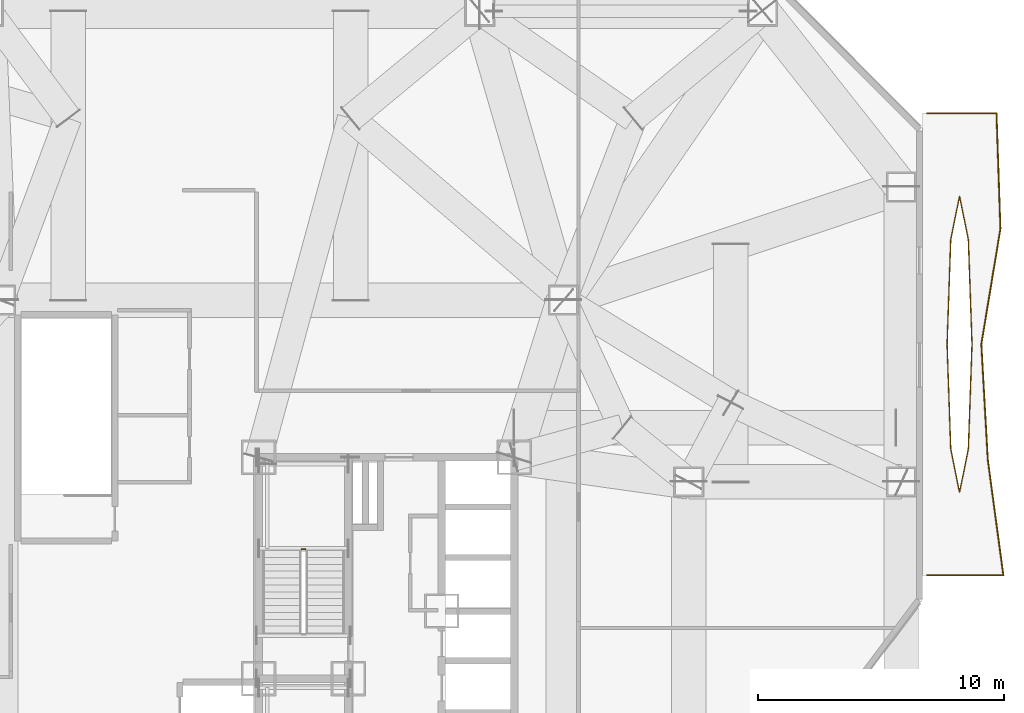
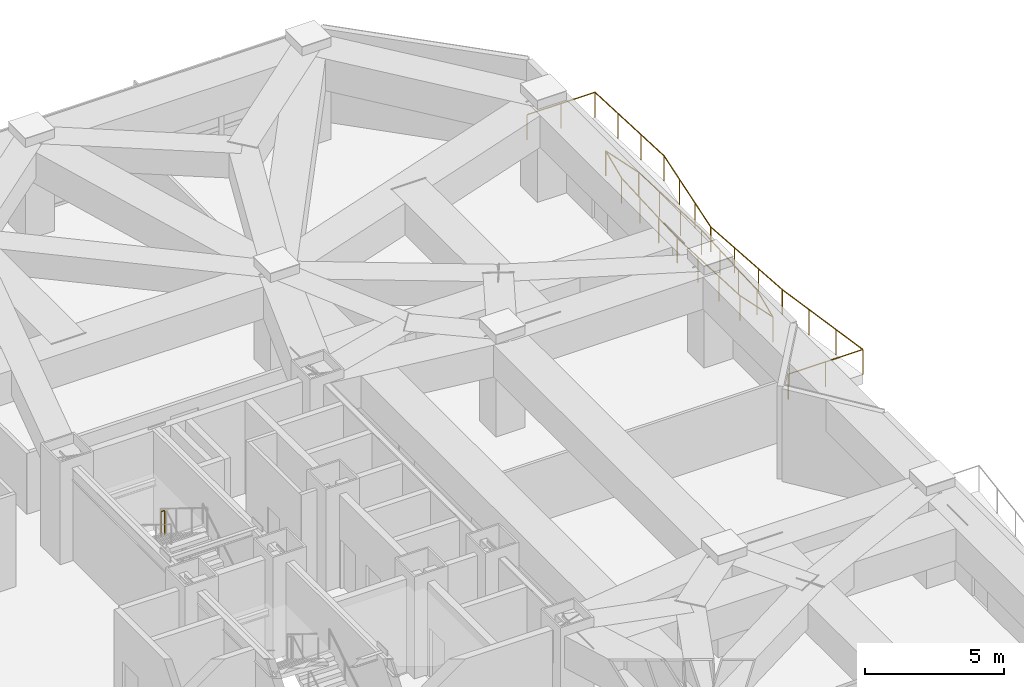
# One storey, part 26 of 27: 5 railings.
"""IFC4 building model written with IfcOpenShell, lengths in metres."""

import ifcopenshell
import ifcopenshell.guid

model = None  # the IFC model being written
_history = None  # IfcOwnerHistory: only IFC2X3 demands one
_inside = {}  # id of a spatial element -> (the spatial element, [elements in it])
_under = {}  # id of a project, library or spatial element -> (it, [spatial elements below it])
_declared = {}  # id of a project -> (the project, [libraries it declares])
_typed = {}  # id of a type object -> (the type object, [elements of that type])
_made_of = {}  # id of a material, layer set ... -> (it, [elements and type objects made of it])


def new_model(schema):
    """Start an empty IFC model of exactly this schema.

    Asked for "IFC4X3", IfcOpenShell would pick the latest addendum, in which some entities
    have other attributes; the version numbers below select the first issue.
    IFC2X3 requires an IfcOwnerHistory on every rooted entity: one is made here for all.
    """
    global model, _history
    if schema == "IFC4X3":
        model = ifcopenshell.file(schema_version=(4, 3, 0, 0))
    else:
        model = ifcopenshell.file(schema=schema)
    _inside.clear()
    _under.clear()
    _declared.clear()
    _typed.clear()
    _made_of.clear()
    _history = None
    if model.schema == "IFC2X3":
        org = make("IfcOrganization", Name="unknown")
        user = make(
            "IfcPersonAndOrganization",
            ThePerson=make("IfcPerson", FamilyName="unknown"),
            TheOrganization=org,
        )
        app = make(
            "IfcApplication",
            ApplicationDeveloper=org,
            Version="unknown",
            ApplicationFullName="unknown",
            ApplicationIdentifier="unknown",
        )
        _history = make(
            "IfcOwnerHistory",
            OwningUser=user,
            OwningApplication=app,
            ChangeAction="ADDED",
            CreationDate=0,
        )
    return model


def make(cls, **values):
    """One entity of the class cls with the attributes given. An attribute that is None is left unset."""
    return model.create_entity(
        cls, **{name: value for name, value in values.items() if value is not None}
    )


def rooted(cls, **values):
    """An entity with a GlobalId (a new one), such as an element, a storey or a relation."""
    return make(cls, GlobalId=ifcopenshell.guid.new(), OwnerHistory=_history, **values)


def si_unit(unit_type, name, prefix=None):
    """IfcSIUnit, for example si_unit("LENGTHUNIT", "METRE", prefix="MILLI")."""
    return make("IfcSIUnit", UnitType=unit_type, Prefix=prefix, Name=name)


def assignment(units):
    """IfcUnitAssignment: the units of a project."""
    return None if units is None else make("IfcUnitAssignment", Units=units)


def point(xyz):
    """IfcCartesianPoint."""
    return None if xyz is None else make("IfcCartesianPoint", Coordinates=xyz)


def direction(xyz):
    """IfcDirection."""
    return None if xyz is None else make("IfcDirection", DirectionRatios=xyz)


def frame(location, z_axis=None, x_axis=None):
    """IfcAxis2Placement3D, a coordinate frame: its origin and axes. An axis left out is left unset."""
    return make(
        "IfcAxis2Placement3D",
        Location=point(location),
        Axis=direction(z_axis),
        RefDirection=direction(x_axis),
    )


def frame_2d(location, x_axis=None):
    """IfcAxis2Placement2D, a coordinate frame in the plane: its origin and x axis."""
    return make(
        "IfcAxis2Placement2D", Location=point(location), RefDirection=direction(x_axis)
    )


def origin():
    """The frame at (0, 0, 0) with its axes left unset."""
    return frame((0.0, 0.0, 0.0))


def origin_2d():
    """The frame at (0, 0) in the plane with its x axis left unset."""
    return frame_2d((0.0, 0.0))


def place(relative_to, where):
    """IfcLocalPlacement: puts the frame where relative to a parent placement (None: the world)."""
    return make(
        "IfcLocalPlacement", PlacementRelTo=relative_to, RelativePlacement=where
    )


def context(
    kind, dimensions, precision=None, world=None, true_north=None, identifier=None
):
    """IfcGeometricRepresentationContext, for example the 3D "Model" context."""
    return make(
        "IfcGeometricRepresentationContext",
        ContextIdentifier=identifier,
        ContextType=kind,
        CoordinateSpaceDimension=dimensions,
        Precision=precision,
        WorldCoordinateSystem=world,
        TrueNorth=true_north,
    )


def subcontext(parent, identifier, kind, view, scale=None):
    """IfcGeometricRepresentationSubContext, for example "Body" below "Model"."""
    return make(
        "IfcGeometricRepresentationSubContext",
        ContextIdentifier=identifier,
        ContextType=kind,
        ParentContext=parent,
        TargetScale=scale,
        TargetView=view,
    )


def project(units=None, contexts=None):
    """IfcProject with its units and contexts."""
    return rooted(
        "IfcProject",
        Name="project",
        RepresentationContexts=contexts,
        UnitsInContext=assignment(units),
    )


def spatial(cls, under=None, at=None, **own):
    """A site, building, storey or space (cls), placed at a placement, below another one or the project."""
    s = rooted(cls, ObjectPlacement=at, **own)
    if under is not None:
        _under.setdefault(under.id(), (under, []))[1].append(s)
    return s


def profile(cls, at=None, kind="AREA", **sizes):
    """A parametric profile (cls). Its sizes go by their IFC names, for example OverallWidth=200.0."""
    return make(cls, ProfileType=kind, Position=at, **sizes)


def circle(**sizes):
    """IfcCircleProfileDef."""
    return profile("IfcCircleProfileDef", **sizes)


def extrude(swept, where, along, depth):
    """IfcExtrudedAreaSolid: the profile swept, set in the frame where, extruded along a direction by depth."""
    return make(
        "IfcExtrudedAreaSolid",
        SweptArea=swept,
        Position=where,
        ExtrudedDirection=direction(along),
        Depth=depth,
    )


def shape(context_of_items, identifier, shape_type, items):
    """IfcShapeRepresentation: the items that make up one representation, for example the "Body"."""
    return make(
        "IfcShapeRepresentation",
        ContextOfItems=context_of_items,
        RepresentationIdentifier=identifier,
        RepresentationType=shape_type,
        Items=items,
    )


def material(Name=None, Category=None):
    """IfcMaterial."""
    return make("IfcMaterial", Name=Name, Category=Category)


def made_of(thing, what):
    """Note that an element or type object is made of a material, layer set ...; save() writes the relation."""
    if what is not None:
        _made_of.setdefault(what.id(), (what, []))[1].append(thing)
    return thing


def type_object(cls, material=None, **own):
    """A type object (cls), such as IfcWallType, which elements share."""
    return made_of(rooted(cls, **own), material)


def element(
    cls,
    number,
    at=None,
    inside=None,
    cuts=None,
    type_object=None,
    material=None,
    context=None,
    identifier="Body",
    shape_type=None,
    held_by="IfcProductDefinitionShape",
    body=None,
    shapes=None,
    **own,
):
    """One element of the class cls, such as IfcWall. Its Tag is "e" and its number.

    at: its placement. inside: the storey or other place that contains it. cuts: it is an
    opening in that element (IfcRelVoidsElement). A single representation is given by context,
    identifier, shape_type and body (its items); several are given by shapes. held_by: the class
    of the entity that holds the representations. save() writes the other relations.
    """
    e = rooted(cls, Tag="e%d" % number, ObjectPlacement=at, **own)
    if body is not None:
        shapes = [shape(context, identifier, shape_type, body)]
    if shapes is not None:
        e.Representation = make(held_by, Representations=shapes)
    if inside is not None:
        _inside.setdefault(inside.id(), (inside, []))[1].append(e)
    if cuts is not None:
        rooted(
            "IfcRelVoidsElement", RelatingBuildingElement=cuts, RelatedOpeningElement=e
        )
    if type_object is not None:
        _typed.setdefault(type_object.id(), (type_object, []))[1].append(e)
    return made_of(e, material)


def aggregate(whole, parts):
    """IfcRelAggregates: a whole, such as a stair, and the parts it consists of."""
    return rooted("IfcRelAggregates", RelatingObject=whole, RelatedObjects=parts)


def save(model, path):
    """Write the relations noted so far, then the file.

    IfcRelAggregates (storeys below a building ...), IfcRelContainedInSpatialStructure (elements
    in a storey), IfcRelDefinesByType, IfcRelAssociatesMaterial and IfcRelDeclares: one each for
    every whole, place, type object, material and project.
    """
    for whole, parts in _under.values():
        aggregate(whole, parts)
    for where, things in _inside.values():
        rooted(
            "IfcRelContainedInSpatialStructure",
            RelatedElements=things,
            RelatingStructure=where,
        )
    for kind, things in _typed.values():
        rooted("IfcRelDefinesByType", RelatedObjects=things, RelatingType=kind)
    for what, things in _made_of.values():
        rooted("IfcRelAssociatesMaterial", RelatedObjects=things, RelatingMaterial=what)
    for by, libraries in _declared.values():
        rooted("IfcRelDeclares", RelatingContext=by, RelatedDefinitions=libraries)
    model.write(path)


model = new_model("IFC4")

# Units and contexts
model_context = context("Model", 3, precision=1e-05, world=origin(), true_north=direction((0.0, 1.0)))
body_context = subcontext(model_context, "Body", "Model", "MODEL_VIEW")
ifc_project = project(units=[si_unit("LENGTHUNIT", "METRE"), si_unit("AREAUNIT", "SQUARE_METRE"), si_unit("VOLUMEUNIT", "CUBIC_METRE"), si_unit("PLANEANGLEUNIT", "RADIAN"), si_unit("MASSUNIT", "GRAM", prefix="KILO")], contexts=[model_context])

# Site, building, storey
site_placement = place(None, origin())
site = spatial("IfcSite", under=ifc_project, at=site_placement, CompositionType="ELEMENT")
building_placement = place(site_placement, origin())
building = spatial("IfcBuilding", under=site, at=building_placement, Name="Khamvora Tower", CompositionType="ELEMENT")
storey_placement = place(building_placement, frame((0.0, 0.0, 28.800048828125)))
storey = spatial("IfcBuildingStorey", under=building, at=storey_placement, Name="L06", CompositionType="ELEMENT", Elevation=28.800048828125)

# Railings
ifc_material_1 = material(Name="Stainless Steel 316 and Laminated Glass", Category="steel")
railing_type_1 = type_object("IfcRailingType", Name="RAL-GAL-1120", PredefinedType="GUARDRAIL", material=ifc_material_1)
railing_1_placement = place(storey_placement, frame((56.199951171875, 32.199951171875, 0.0)))
element("IfcRailing", 1, at=railing_1_placement, inside=storey, type_object=railing_type_1, Name="L06 lens gallery south perimeter guardrail EL2", PredefinedType="GUARDRAIL", context=body_context, shape_type="SweptSolid", body=[
    extrude(circle(Radius=0.02392578125, at=origin_2d()), frame((0.0, 0.0, 1.09619140625), z_axis=(1.0, 0.0, 0.0), x_axis=(0.0, 1.0, 0.0)), (0.0, 0.0, 1.0), 3.10009765625),
    extrude(circle(Radius=0.02392578125, at=origin_2d()), frame((3.10009765625, 0.0, 1.09619140625), z_axis=(-0.133488830384, 0.991050317674, 0.0), x_axis=(-0.991050317674, -0.133488830384, 0.0)), (0.0, 0.0, 1.0), 4.742431640625),
    extrude(circle(Radius=0.02392578125, at=origin_2d()), frame((2.467041015625, 4.699951171875, 1.09619140625), z_axis=(-0.055854908118, 0.998438896097, 0.0), x_axis=(-0.998438896097, -0.055854908118, 0.0)), (0.0, 0.0, 1.0), 4.70751953125),
    extrude(circle(Radius=0.02099609375, at=origin_2d()), origin(), (0.0, 0.0, 1.0), 1.072021484375),
    extrude(circle(Radius=0.02099609375, at=origin_2d()), frame((1.550048828125, 0.0, 0.0)), (0.0, 0.0, 1.0), 1.072021484375),
    extrude(circle(Radius=0.02099609375, at=origin_2d()), frame((3.10009765625, 0.0, 0.0)), (0.0, 0.0, 1.0), 1.072021484375),
    extrude(circle(Radius=0.02099609375, at=origin_2d()), frame((2.88916015625, 1.566650390625, 0.0)), (0.0, 0.0, 1.0), 1.072021484375),
    extrude(circle(Radius=0.02099609375, at=origin_2d()), frame((2.677978515625, 3.13330078125, 0.0)), (0.0, 0.0, 1.0), 1.072021484375),
    extrude(circle(Radius=0.02099609375, at=origin_2d()), frame((2.467041015625, 4.699951171875, 0.0)), (0.0, 0.0, 1.0), 1.072021484375),
    extrude(circle(Radius=0.02099609375, at=origin_2d()), frame((2.37939453125, 6.2666015625, 0.0)), (0.0, 0.0, 1.0), 1.072021484375),
    extrude(circle(Radius=0.02099609375, at=origin_2d()), frame((2.291748046875, 7.83349609375, 0.0)), (0.0, 0.0, 1.0), 1.072021484375),
    extrude(circle(Radius=0.02099609375, at=origin_2d()), frame((2.2041015625, 9.400146484375, 0.0)), (0.0, 0.0, 1.0), 1.072021484375),
])
railing_2_placement = place(storey_placement, frame((58.404052734375, 41.60009765625, 0.0)))
element("IfcRailing", 2, at=railing_2_placement, inside=storey, type_object=railing_type_1, Name="L06 lens gallery north perimeter guardrail EL2", PredefinedType="GUARDRAIL", context=body_context, shape_type="SweptSolid", body=[
    extrude(circle(Radius=0.02392578125, at=origin_2d()), frame((0.0, 0.0, 1.09619140625), z_axis=(0.162877863416, 0.986646239343, 0.0), x_axis=(-0.986646239343, 0.162877863416, 0.0)), (0.0, 0.0, 1.0), 4.763671875),
    extrude(circle(Radius=0.02392578125, at=origin_2d()), frame((0.77587890625, 4.699951171875, 1.09619140625), z_axis=(-0.033797106291, 0.99942871462, 0.0), x_axis=(-0.99942871462, -0.033797106291, 0.0)), (0.0, 0.0, 1.0), 4.70263671875),
    extrude(circle(Radius=0.02392578125, at=origin_2d()), frame((0.616943359375, 9.39990234375, 1.09619140625), z_axis=(-1.0, 0.0, 0.0), x_axis=(0.0, -1.0, 0.0)), (0.0, 0.0, 1.0), 2.821044921875),
    extrude(circle(Radius=0.02099609375, at=origin_2d()), origin(), (0.0, 0.0, 1.0), 1.072021484375),
    extrude(circle(Radius=0.02099609375, at=origin_2d()), frame((0.258544921875, 1.566650390625, 0.0)), (0.0, 0.0, 1.0), 1.072021484375),
    extrude(circle(Radius=0.02099609375, at=origin_2d()), frame((0.517333984375, 3.13330078125, 0.0)), (0.0, 0.0, 1.0), 1.072021484375),
    extrude(circle(Radius=0.02099609375, at=origin_2d()), frame((0.77587890625, 4.699951171875, 0.0)), (0.0, 0.0, 1.0), 1.072021484375),
    extrude(circle(Radius=0.02099609375, at=origin_2d()), frame((0.722900390625, 6.2666015625, 0.0)), (0.0, 0.0, 1.0), 1.072021484375),
    extrude(circle(Radius=0.02099609375, at=origin_2d()), frame((0.669921875, 7.833251953125, 0.0)), (0.0, 0.0, 1.0), 1.072021484375),
    extrude(circle(Radius=0.02099609375, at=origin_2d()), frame((0.616943359375, 9.39990234375, 0.0)), (0.0, 0.0, 1.0), 1.072021484375),
    extrude(circle(Radius=0.02099609375, at=origin_2d()), frame((-0.79345703125, 9.39990234375, 0.0)), (0.0, 0.0, 1.0), 1.072021484375),
    extrude(circle(Radius=0.02099609375, at=origin_2d()), frame((-2.2041015625, 9.39990234375, 0.0)), (0.0, 0.0, 1.0), 1.072021484375),
])
railing_3_placement = place(storey_placement, frame((58.01904296875, 41.60009765625, 0.0)))
element("IfcRailing", 3, at=railing_3_placement, inside=storey, type_object=railing_type_1, Name="L06 lens gallery void guardrail EL2A", PredefinedType="GUARDRAIL", context=body_context, shape_type="SweptSolid", body=[
    extrude(circle(Radius=0.02392578125, at=origin_2d()), frame((0.0, 0.0, 1.09619140625), z_axis=(-0.034758598303, 0.999395737355, 0.0), x_axis=(-0.999395737355, -0.034758598303, 0.0)), (0.0, 0.0, 1.0), 4.256591796875),
    extrude(circle(Radius=0.02392578125, at=origin_2d()), frame((-0.14794921875, 4.25390625, 1.09619140625), z_axis=(-0.198152924969, 0.98017111686, 0.0), x_axis=(-0.98017111686, -0.198152924969, 0.0)), (0.0, 0.0, 1.0), 1.797607421875),
    extrude(circle(Radius=0.02392578125, at=origin_2d()), frame((-0.504150390625, 6.015869140625, 1.09619140625), z_axis=(-0.198022438185, -0.980197487232, 0.0), x_axis=(0.980197487232, -0.198022438185, 0.0)), (0.0, 0.0, 1.0), 1.797607421875),
    extrude(circle(Radius=0.02392578125, at=origin_2d()), frame((-0.860107421875, 4.25390625, 1.09619140625), z_axis=(-0.034758598303, -0.999395737355, 0.0), x_axis=(0.999395737355, -0.034758598303, 0.0)), (0.0, 0.0, 1.0), 4.256591796875),
    extrude(circle(Radius=0.02099609375, at=origin_2d()), origin(), (0.0, 0.0, 1.0), 1.072021484375),
    extrude(circle(Radius=0.02099609375, at=origin_2d()), frame((-0.04931640625, 1.41796875, 0.0)), (0.0, 0.0, 1.0), 1.072021484375),
    extrude(circle(Radius=0.02099609375, at=origin_2d()), frame((-0.0986328125, 2.8359375, 0.0)), (0.0, 0.0, 1.0), 1.072021484375),
    extrude(circle(Radius=0.02099609375, at=origin_2d()), frame((-0.14794921875, 4.25390625, 0.0)), (0.0, 0.0, 1.0), 1.072021484375),
    extrude(circle(Radius=0.02099609375, at=origin_2d()), frame((-0.504150390625, 6.015869140625, 0.0)), (0.0, 0.0, 1.0), 1.072021484375),
    extrude(circle(Radius=0.02099609375, at=origin_2d()), frame((-0.860107421875, 4.25390625, 0.0)), (0.0, 0.0, 1.0), 1.072021484375),
    extrude(circle(Radius=0.02099609375, at=origin_2d()), frame((-0.909423828125, 2.8359375, 0.0)), (0.0, 0.0, 1.0), 1.072021484375),
    extrude(circle(Radius=0.02099609375, at=origin_2d()), frame((-0.958740234375, 1.41796875, 0.0)), (0.0, 0.0, 1.0), 1.072021484375),
    extrude(circle(Radius=0.02099609375, at=origin_2d()), frame((-1.008056640625, 0.0, 0.0)), (0.0, 0.0, 1.0), 1.072021484375),
])
railing_4_placement = place(storey_placement, frame((57.010986328125, 41.60009765625, 0.0)))
element("IfcRailing", 4, at=railing_4_placement, inside=storey, type_object=railing_type_1, Name="L06 lens gallery void guardrail EL2B", PredefinedType="GUARDRAIL", context=body_context, shape_type="SweptSolid", body=[
    extrude(circle(Radius=0.02392578125, at=origin_2d()), frame((0.0, 0.0, 1.09619140625), z_axis=(0.034756605959, -0.999395806646, 0.0), x_axis=(0.999395806646, 0.034756605959, 0.0)), (0.0, 0.0, 1.0), 4.2568359375),
    extrude(circle(Radius=0.02392578125, at=origin_2d()), frame((0.14794921875, -4.254150390625, 1.09619140625), z_axis=(0.198022438185, -0.980197487232, 0.0), x_axis=(0.980197487232, 0.198022438185, 0.0)), (0.0, 0.0, 1.0), 1.797607421875),
    extrude(circle(Radius=0.02392578125, at=origin_2d()), frame((0.50390625, -6.01611328125, 1.09619140625), z_axis=(0.198152924969, 0.98017111686, 0.0), x_axis=(-0.98017111686, 0.198152924969, 0.0)), (0.0, 0.0, 1.0), 1.797607421875),
    extrude(circle(Radius=0.02392578125, at=origin_2d()), frame((0.860107421875, -4.254150390625, 1.09619140625), z_axis=(0.034756605959, 0.999395806646, 0.0), x_axis=(-0.999395806646, 0.034756605959, 0.0)), (0.0, 0.0, 1.0), 4.2568359375),
    extrude(circle(Radius=0.02099609375, at=origin_2d()), origin(), (0.0, 0.0, 1.0), 1.072021484375),
    extrude(circle(Radius=0.02099609375, at=origin_2d()), frame((0.04931640625, -1.41796875, 0.0)), (0.0, 0.0, 1.0), 1.072021484375),
    extrude(circle(Radius=0.02099609375, at=origin_2d()), frame((0.0986328125, -2.836181640625, 0.0)), (0.0, 0.0, 1.0), 1.072021484375),
    extrude(circle(Radius=0.02099609375, at=origin_2d()), frame((0.14794921875, -4.254150390625, 0.0)), (0.0, 0.0, 1.0), 1.072021484375),
    extrude(circle(Radius=0.02099609375, at=origin_2d()), frame((0.50390625, -6.01611328125, 0.0)), (0.0, 0.0, 1.0), 1.072021484375),
    extrude(circle(Radius=0.02099609375, at=origin_2d()), frame((0.860107421875, -4.254150390625, 0.0)), (0.0, 0.0, 1.0), 1.072021484375),
    extrude(circle(Radius=0.02099609375, at=origin_2d()), frame((0.909423828125, -2.836181640625, 0.0)), (0.0, 0.0, 1.0), 1.072021484375),
    extrude(circle(Radius=0.02099609375, at=origin_2d()), frame((0.958740234375, -1.41796875, 0.0)), (0.0, 0.0, 1.0), 1.072021484375),
    extrude(circle(Radius=0.02099609375, at=origin_2d()), frame((1.008056640625, 0.0, 0.0)), (0.0, 0.0, 1.0), 1.072021484375),
])
ifc_material_2 = material(Name="Stainless Steel 316", Category="steel")
railing_type_2 = type_object("IfcRailingType", Name="RAL-STG-1100", PredefinedType="GUARDRAIL", material=ifc_material_2)
railing_5_placement = place(storey_placement, frame((30.89990234375, 33.260009765625, 2.25)))
element("IfcRailing", 5, at=railing_5_placement, inside=storey, type_object=railing_type_2, Name="L06 ST-02 stair guard 2", PredefinedType="GUARDRAIL", context=body_context, shape_type="SweptSolid", body=[
    extrude(circle(Radius=0.02392578125, at=origin_2d()), frame((0.0, 0.0, 1.076171875), z_axis=(-1.0, 0.0, 0.0), x_axis=(0.0, -1.0, 0.0)), (0.0, 0.0, 1.0), 0.14990234375),
    extrude(circle(Radius=0.02099609375, at=origin_2d()), origin(), (0.0, 0.0, 1.0), 1.052001953125),
    extrude(circle(Radius=0.02099609375, at=origin_2d()), frame((-0.14990234375, 0.0, 0.0)), (0.0, 0.0, 1.0), 1.052001953125),
])

save(model, "model.ifc")
